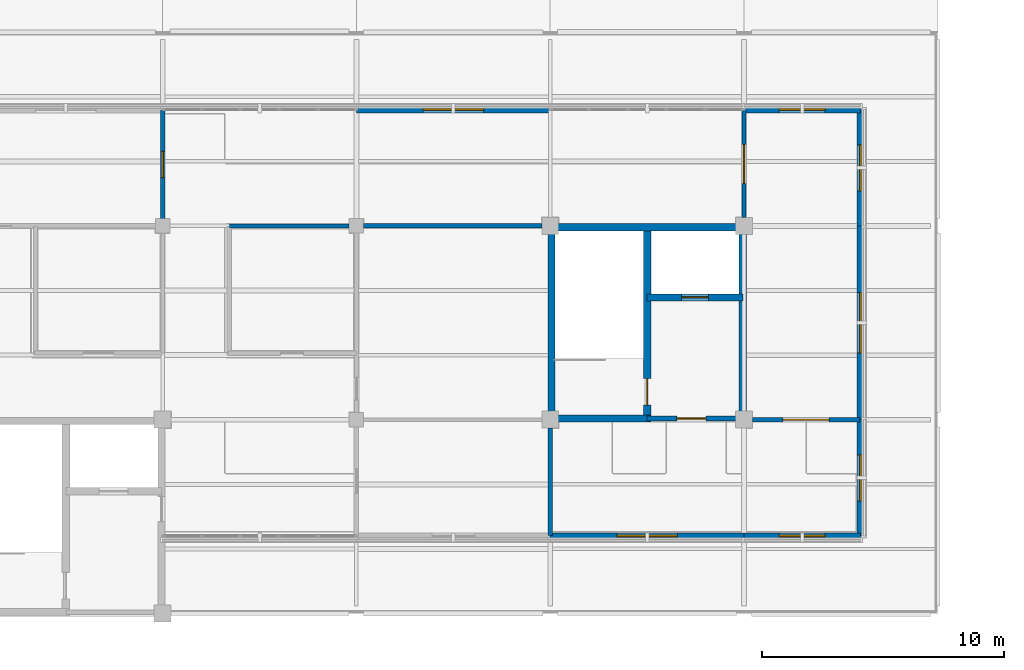
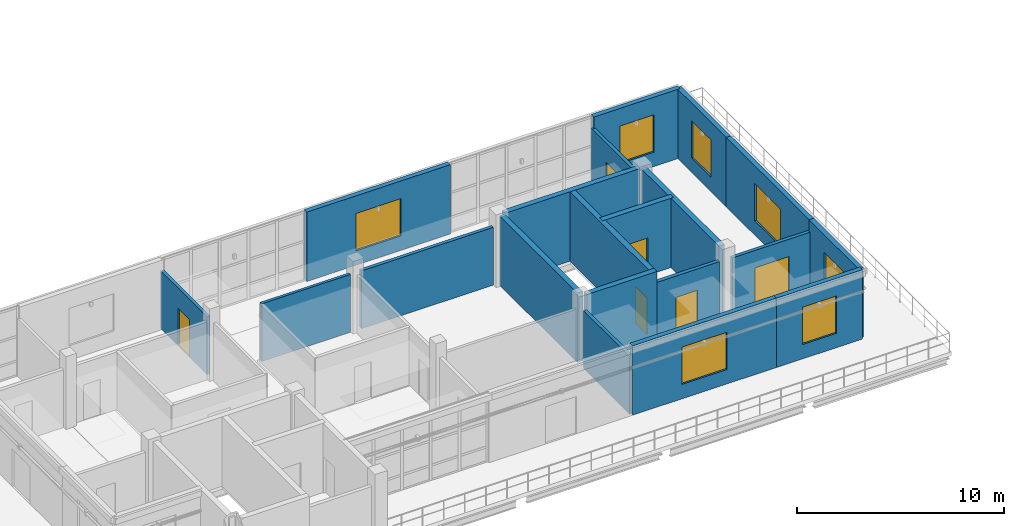
# One storey, part 16 of 24: 20 walls, 7 windows, 6 doors, 13 openings.
"""IFC4 building model written with IfcOpenShell, lengths in metres."""

import ifcopenshell
import ifcopenshell.guid

model = None  # the IFC model being written
_history = None  # IfcOwnerHistory: only IFC2X3 demands one
_inside = {}  # id of a spatial element -> (the spatial element, [elements in it])
_under = {}  # id of a project, library or spatial element -> (it, [spatial elements below it])
_declared = {}  # id of a project -> (the project, [libraries it declares])
_typed = {}  # id of a type object -> (the type object, [elements of that type])
_made_of = {}  # id of a material, layer set ... -> (it, [elements and type objects made of it])


def new_model(schema):
    """Start an empty IFC model of exactly this schema.

    Asked for "IFC4X3", IfcOpenShell would pick the latest addendum, in which some entities
    have other attributes; the version numbers below select the first issue.
    IFC2X3 requires an IfcOwnerHistory on every rooted entity: one is made here for all.
    """
    global model, _history
    if schema == "IFC4X3":
        model = ifcopenshell.file(schema_version=(4, 3, 0, 0))
    else:
        model = ifcopenshell.file(schema=schema)
    _inside.clear()
    _under.clear()
    _declared.clear()
    _typed.clear()
    _made_of.clear()
    _history = None
    if model.schema == "IFC2X3":
        org = make("IfcOrganization", Name="unknown")
        user = make(
            "IfcPersonAndOrganization",
            ThePerson=make("IfcPerson", FamilyName="unknown"),
            TheOrganization=org,
        )
        app = make(
            "IfcApplication",
            ApplicationDeveloper=org,
            Version="unknown",
            ApplicationFullName="unknown",
            ApplicationIdentifier="unknown",
        )
        _history = make(
            "IfcOwnerHistory",
            OwningUser=user,
            OwningApplication=app,
            ChangeAction="ADDED",
            CreationDate=0,
        )
    return model


def make(cls, **values):
    """One entity of the class cls with the attributes given. An attribute that is None is left unset."""
    return model.create_entity(
        cls, **{name: value for name, value in values.items() if value is not None}
    )


def rooted(cls, **values):
    """An entity with a GlobalId (a new one), such as an element, a storey or a relation."""
    return make(cls, GlobalId=ifcopenshell.guid.new(), OwnerHistory=_history, **values)


def si_unit(unit_type, name, prefix=None):
    """IfcSIUnit, for example si_unit("LENGTHUNIT", "METRE", prefix="MILLI")."""
    return make("IfcSIUnit", UnitType=unit_type, Prefix=prefix, Name=name)


def derived_unit(unit_type, elements):
    """IfcDerivedUnit: a product of units, each with its exponent."""
    return make(
        "IfcDerivedUnit",
        Elements=[
            make("IfcDerivedUnitElement", Unit=unit, Exponent=power)
            for unit, power in elements
        ],
        UnitType=unit_type,
    )


def assignment(units):
    """IfcUnitAssignment: the units of a project."""
    return None if units is None else make("IfcUnitAssignment", Units=units)


def point(xyz):
    """IfcCartesianPoint."""
    return None if xyz is None else make("IfcCartesianPoint", Coordinates=xyz)


def direction(xyz):
    """IfcDirection."""
    return None if xyz is None else make("IfcDirection", DirectionRatios=xyz)


def frame(location, z_axis=None, x_axis=None):
    """IfcAxis2Placement3D, a coordinate frame: its origin and axes. An axis left out is left unset."""
    return make(
        "IfcAxis2Placement3D",
        Location=point(location),
        Axis=direction(z_axis),
        RefDirection=direction(x_axis),
    )


def frame_2d(location, x_axis=None):
    """IfcAxis2Placement2D, a coordinate frame in the plane: its origin and x axis."""
    return make(
        "IfcAxis2Placement2D", Location=point(location), RefDirection=direction(x_axis)
    )


def origin():
    """The frame at (0, 0, 0) with its axes left unset."""
    return frame((0.0, 0.0, 0.0))


def place(relative_to, where):
    """IfcLocalPlacement: puts the frame where relative to a parent placement (None: the world)."""
    return make(
        "IfcLocalPlacement", PlacementRelTo=relative_to, RelativePlacement=where
    )


def context(
    kind, dimensions, precision=None, world=None, true_north=None, identifier=None
):
    """IfcGeometricRepresentationContext, for example the 3D "Model" context."""
    return make(
        "IfcGeometricRepresentationContext",
        ContextIdentifier=identifier,
        ContextType=kind,
        CoordinateSpaceDimension=dimensions,
        Precision=precision,
        WorldCoordinateSystem=world,
        TrueNorth=true_north,
    )


def subcontext(parent, identifier, kind, view, scale=None):
    """IfcGeometricRepresentationSubContext, for example "Body" below "Model"."""
    return make(
        "IfcGeometricRepresentationSubContext",
        ContextIdentifier=identifier,
        ContextType=kind,
        ParentContext=parent,
        TargetScale=scale,
        TargetView=view,
    )


def project(units=None, contexts=None):
    """IfcProject with its units and contexts."""
    return rooted(
        "IfcProject",
        Name="project",
        RepresentationContexts=contexts,
        UnitsInContext=assignment(units),
    )


def spatial(cls, under=None, at=None, **own):
    """A site, building, storey or space (cls), placed at a placement, below another one or the project."""
    s = rooted(cls, ObjectPlacement=at, **own)
    if under is not None:
        _under.setdefault(under.id(), (under, []))[1].append(s)
    return s


def profile(cls, at=None, kind="AREA", **sizes):
    """A parametric profile (cls). Its sizes go by their IFC names, for example OverallWidth=200.0."""
    return make(cls, ProfileType=kind, Position=at, **sizes)


def rectangle(**sizes):
    """IfcRectangleProfileDef."""
    return profile("IfcRectangleProfileDef", **sizes)


def extrude(swept, where, along, depth):
    """IfcExtrudedAreaSolid: the profile swept, set in the frame where, extruded along a direction by depth."""
    return make(
        "IfcExtrudedAreaSolid",
        SweptArea=swept,
        Position=where,
        ExtrudedDirection=direction(along),
        Depth=depth,
    )


def shape(context_of_items, identifier, shape_type, items):
    """IfcShapeRepresentation: the items that make up one representation, for example the "Body"."""
    return make(
        "IfcShapeRepresentation",
        ContextOfItems=context_of_items,
        RepresentationIdentifier=identifier,
        RepresentationType=shape_type,
        Items=items,
    )


def material(Name=None, Category=None):
    """IfcMaterial."""
    return make("IfcMaterial", Name=Name, Category=Category)


def layer(
    of_material, thickness, ventilated=None, Name=None, Category=None, Priority=None
):
    """IfcMaterialLayer: one layer of a wall or slab, of a material (None: an air gap)."""
    return make(
        "IfcMaterialLayer",
        Material=of_material,
        LayerThickness=thickness,
        IsVentilated=ventilated,
        Name=Name,
        Category=Category,
        Priority=Priority,
    )


def layer_set(layers, Name=None):
    """IfcMaterialLayerSet."""
    return make("IfcMaterialLayerSet", MaterialLayers=layers, LayerSetName=Name)


def made_of(thing, what):
    """Note that an element or type object is made of a material, layer set ...; save() writes the relation."""
    if what is not None:
        _made_of.setdefault(what.id(), (what, []))[1].append(thing)
    return thing


def type_object(cls, material=None, **own):
    """A type object (cls), such as IfcWallType, which elements share."""
    return made_of(rooted(cls, **own), material)


def element(
    cls,
    number,
    at=None,
    inside=None,
    cuts=None,
    type_object=None,
    material=None,
    context=None,
    identifier="Body",
    shape_type=None,
    held_by="IfcProductDefinitionShape",
    body=None,
    shapes=None,
    **own,
):
    """One element of the class cls, such as IfcWall. Its Tag is "e" and its number.

    at: its placement. inside: the storey or other place that contains it. cuts: it is an
    opening in that element (IfcRelVoidsElement). A single representation is given by context,
    identifier, shape_type and body (its items); several are given by shapes. held_by: the class
    of the entity that holds the representations. save() writes the other relations.
    """
    e = rooted(cls, Tag="e%d" % number, ObjectPlacement=at, **own)
    if body is not None:
        shapes = [shape(context, identifier, shape_type, body)]
    if shapes is not None:
        e.Representation = make(held_by, Representations=shapes)
    if inside is not None:
        _inside.setdefault(inside.id(), (inside, []))[1].append(e)
    if cuts is not None:
        rooted(
            "IfcRelVoidsElement", RelatingBuildingElement=cuts, RelatedOpeningElement=e
        )
    if type_object is not None:
        _typed.setdefault(type_object.id(), (type_object, []))[1].append(e)
    return made_of(e, material)


def fill(opening, filler):
    """IfcRelFillsElement: the door or window that sits in an opening."""
    return rooted(
        "IfcRelFillsElement",
        RelatingOpeningElement=opening,
        RelatedBuildingElement=filler,
    )


def aggregate(whole, parts):
    """IfcRelAggregates: a whole, such as a stair, and the parts it consists of."""
    return rooted("IfcRelAggregates", RelatingObject=whole, RelatedObjects=parts)


def save(model, path):
    """Write the relations noted so far, then the file.

    IfcRelAggregates (storeys below a building ...), IfcRelContainedInSpatialStructure (elements
    in a storey), IfcRelDefinesByType, IfcRelAssociatesMaterial and IfcRelDeclares: one each for
    every whole, place, type object, material and project.
    """
    for whole, parts in _under.values():
        aggregate(whole, parts)
    for where, things in _inside.values():
        rooted(
            "IfcRelContainedInSpatialStructure",
            RelatedElements=things,
            RelatingStructure=where,
        )
    for kind, things in _typed.values():
        rooted("IfcRelDefinesByType", RelatedObjects=things, RelatingType=kind)
    for what, things in _made_of.values():
        rooted("IfcRelAssociatesMaterial", RelatedObjects=things, RelatingMaterial=what)
    for by, libraries in _declared.values():
        rooted("IfcRelDeclares", RelatingContext=by, RelatedDefinitions=libraries)
    model.write(path)


model = new_model("IFC4")

# Units and contexts
model_context = context("Model", 3, precision=1e-05, world=origin(), true_north=direction((0.0, 1.0)))
body_context = subcontext(model_context, "Body", "Model", "MODEL_VIEW")
ifc_project = project(units=[si_unit("LENGTHUNIT", "METRE"), si_unit("AREAUNIT", "SQUARE_METRE"), si_unit("VOLUMEUNIT", "CUBIC_METRE"), si_unit("PLANEANGLEUNIT", "RADIAN"), si_unit("MASSUNIT", "GRAM", prefix="KILO"), derived_unit("THERMALTRANSMITTANCEUNIT", [(si_unit("MASSUNIT", "GRAM", prefix="KILO"), 1), (si_unit("TIMEUNIT", "SECOND"), -3), (si_unit("THERMODYNAMICTEMPERATUREUNIT", "KELVIN"), -1)])], contexts=[model_context])

# Site, building, storey
site_placement = place(None, origin())
site = spatial("IfcSite", under=ifc_project, at=site_placement, CompositionType="ELEMENT")
building_placement = place(site_placement, origin())
building = spatial("IfcBuilding", under=site, at=building_placement, Name="Veyamyaing Civic Hall", CompositionType="ELEMENT")
storey_placement = place(building_placement, frame((0.0, 0.0, 25.739990234375)))
storey = spatial("IfcBuildingStorey", under=building, at=storey_placement, Name="L06", CompositionType="ELEMENT", Elevation=25.739990234375)

# Walls
ifc_material_1 = material(Name="Concrete C40/50", Category="concrete")
ifc_layer_1 = layer(ifc_material_1, 0.300048828125, Name="Concrete C40/50")
ifc_layer_set_1 = layer_set([ifc_layer_1], Name="Concrete C40/50")
wall_type_1 = type_object("IfcWallType", Name="WT-05", PredefinedType="SHEAR", material=ifc_layer_set_1)
for number, where, z_axis, x_axis, name in (
    (1, (32.050048828125, 96.239990234375, 0.0), (0.0, 0.0, 1.0), (0.0, 1.0, 0.0), "Core shear wall WT-05 CORE-2 L06.W"),
    (2, (32.239990234375, 103.949951171875, 0.0), (0.0, 0.0, 1.0), (1.0, 0.0, 0.0), "Core shear wall WT-05 CORE-2 L06.N"),
    (3, (39.949951171875, 96.239990234375, 0.0), (0.0, 0.0, 1.0), (0.0, 1.0, 0.0), "Core shear wall WT-05 CORE-2 L06.E"),
):
    element("IfcWall", number, at=place(storey_placement, frame(where, z_axis=z_axis, x_axis=x_axis)), inside=storey, type_object=wall_type_1, Name=name, PredefinedType="SHEAR", context=body_context, shape_type="SweptSolid", body=[
        extrude(rectangle(XDim=7.52001953125, YDim=0.300048828125, at=frame_2d((3.760009765625, 0.0))), origin(), (0.0, 0.0, 1.0), 4.090087890625),
    ])
wall_1_placement = place(storey_placement, frame((32.239990234375, 96.050048828125, 0.0), z_axis=(0.0, 0.0, 1.0), x_axis=(1.0, 0.0, 0.0)))
element("IfcWall", 4, at=wall_1_placement, inside=storey, type_object=wall_type_1, Name="Core shear wall WT-05 CORE-2 L06.SS", PredefinedType="SHEAR", context=body_context, shape_type="SweptSolid", body=[
    extrude(rectangle(XDim=3.909912109375, YDim=0.300048828125, at=frame_2d((1.955078125, 0.0))), origin(), (0.0, 0.0, 1.0), 4.090087890625),
])

# Wall, opening, door
wall_2_placement = place(storey_placement, frame((36.0, 96.050048828125, 0.0), z_axis=(0.0, 0.0, 1.0), x_axis=(0.0, 1.0, 0.0)))
wall_2 = element("IfcWall", 5, at=wall_2_placement, inside=storey, type_object=wall_type_1, Name="Core shear wall WT-05 CORE-2 L06.MID", PredefinedType="SHEAR", context=body_context, shape_type="SweptSolid", body=[
    extrude(rectangle(XDim=7.89990234375, YDim=0.300048828125, at=frame_2d((3.949951171875, 0.0))), origin(), (0.0, 0.0, 1.0), 4.090087890625),
])
opening_1_placement = place(wall_2_placement, frame((0.550048828125, 0.0, 0.0)))
opening_1 = element("IfcOpeningElement", 6, at=opening_1_placement, cuts=wall_2, Name="Opening D-03", PredefinedType="OPENING", context=body_context, shape_type="SweptSolid", body=[
    extrude(rectangle(XDim=1.10009765625, YDim=2.14990234375, at=frame_2d((0.550048828125, 1.074951171875))), frame((0.0, 0.159912109375, 0.0), z_axis=(0.0, -1.0, 0.0), x_axis=(1.0, 0.0, 0.0)), (0.0, 0.0, 1.0), 0.320068359375),
])
ifc_material_2 = material(Name="Galvanized steel S355J2", Category="steel")
door_type_1 = type_object("IfcDoorType", Name="D-03", OperationType="NOTDEFINED", PredefinedType="DOOR", material=ifc_material_2)
door_1_placement = place(opening_1_placement, origin())
door_1 = element("IfcDoor", 7, at=door_1_placement, inside=storey, type_object=door_type_1, Name="Exit stair fire door D-03 ST-02 L06", OperationType="SINGLE_SWING_RIGHT", OverallHeight=2.14990234375, OverallWidth=1.10009765625, PredefinedType="DOOR", context=body_context, shape_type="SweptSolid", body=[
    extrude(rectangle(XDim=1.10009765625, YDim=2.14990234375, at=frame_2d((0.550048828125, 1.074951171875))), frame((0.0, 0.02490234375, 0.0), z_axis=(0.0, -1.0, 0.0), x_axis=(1.0, 0.0, 0.0)), (0.0, 0.0, 1.0), 0.050048828125),
])
fill(opening_1, door_1)

wall_3_placement = place(storey_placement, frame((36.0, 101.050048828125, 0.0), z_axis=(0.0, 0.0, 1.0), x_axis=(1.0, 0.0, 0.0)))
wall_3 = element("IfcWall", 8, at=wall_3_placement, inside=storey, type_object=wall_type_1, Name="Core shear wall WT-05 CORE-2 L06.LFT", PredefinedType="SHEAR", context=body_context, shape_type="SweptSolid", body=[
    extrude(rectangle(XDim=3.949951171875, YDim=0.300048828125, at=frame_2d((1.97509765625, 0.0))), origin(), (0.0, 0.0, 1.0), 4.090087890625),
])
opening_2_placement = place(wall_3_placement, frame((1.425048828125, 0.0, 0.0)))
opening_2 = element("IfcOpeningElement", 9, at=opening_2_placement, cuts=wall_3, Name="Opening LD-01", PredefinedType="OPENING", context=body_context, shape_type="SweptSolid", body=[
    extrude(rectangle(XDim=1.10009765625, YDim=2.199951171875, at=frame_2d((0.550048828125, 1.10009765625))), frame((0.0, 0.159912109375, 0.0), z_axis=(0.0, -1.0, 0.0), x_axis=(1.0, 0.0, 0.0)), (0.0, 0.0, 1.0), 0.320068359375),
])
ifc_material_3 = material(Name="Anodised aluminium 6063-T6", Category="aluminium")
door_type_2 = type_object("IfcDoorType", Name="LD-01", OperationType="SLIDING_TO_LEFT", PredefinedType="DOOR", material=ifc_material_3)
door_2_placement = place(opening_2_placement, origin())
door_2 = element("IfcDoor", 10, at=door_2_placement, inside=storey, type_object=door_type_2, Name="Lift sliding landing door LD-01 PL-01 L06", OperationType="SLIDING_TO_LEFT", OverallHeight=2.199951171875, OverallWidth=1.10009765625, PredefinedType="DOOR", context=body_context, shape_type="SweptSolid", body=[
    extrude(rectangle(XDim=1.10009765625, YDim=2.199951171875, at=frame_2d((0.550048828125, 1.10009765625))), frame((0.0, 0.02490234375, 0.0), z_axis=(0.0, -1.0, 0.0), x_axis=(1.0, 0.0, 0.0)), (0.0, 0.0, 1.0), 0.050048828125),
])
fill(opening_2, door_2)

ifc_layer_2 = layer(ifc_material_1, 0.199951171875, Name="Concrete C40/50")
ifc_layer_set_2 = layer_set([ifc_layer_2], Name="Concrete C40/50")
wall_type_2 = type_object("IfcWallType", Name="WT-06", PredefinedType="PARTITIONING", material=ifc_layer_set_2)
wall_4_placement = place(storey_placement, frame((36.0, 96.050048828125, 0.0), z_axis=(0.0, 0.0, 1.0), x_axis=(1.0, 0.0, 0.0)))
wall_4 = element("IfcWall", 11, at=wall_4_placement, inside=storey, type_object=wall_type_2, Name="Firefighting lift lobby wall WT-06 CORE-2 L06", PredefinedType="PARTITIONING", context=body_context, shape_type="SweptSolid", body=[
    extrude(rectangle(XDim=3.659912109375, YDim=0.199951171875, at=frame_2d((1.830078125, 0.0))), origin(), (0.0, 0.0, 1.0), 3.407958984375),
])
opening_3_placement = place(wall_4_placement, frame((1.22998046875, 0.0, 0.0)))
opening_3 = element("IfcOpeningElement", 12, at=opening_3_placement, cuts=wall_4, Name="Opening D-04", PredefinedType="OPENING", context=body_context, shape_type="SweptSolid", body=[
    extrude(rectangle(XDim=1.199951171875, YDim=2.14990234375, at=frame_2d((0.60009765625, 1.074951171875))), frame((0.0, 0.10986328125, 0.0), z_axis=(0.0, -1.0, 0.0), x_axis=(1.0, 0.0, 0.0)), (0.0, 0.0, 1.0), 0.219970703125),
])
door_type_3 = type_object("IfcDoorType", Name="D-04", OperationType="NOTDEFINED", PredefinedType="DOOR", material=ifc_material_2)
door_3_placement = place(opening_3_placement, frame((1.199951171875, 0.0, 0.0), z_axis=(0.0, 0.0, 1.0), x_axis=(-1.0, 0.0, 0.0)))
door_3 = element("IfcDoor", 13, at=door_3_placement, inside=storey, type_object=door_type_3, Name="Protected lobby fire door D-04 CORE-2 L06", OperationType="SINGLE_SWING_LEFT", OverallHeight=2.14990234375, OverallWidth=1.199951171875, PredefinedType="DOOR", context=body_context, shape_type="SweptSolid", body=[
    extrude(rectangle(XDim=1.199951171875, YDim=2.14990234375, at=frame_2d((0.60009765625, 1.074951171875))), frame((0.0, 0.02490234375, 0.0), z_axis=(0.0, -1.0, 0.0), x_axis=(1.0, 0.0, 0.0)), (0.0, 0.0, 1.0), 0.050048828125),
])
fill(opening_3, door_3)

ifc_material_4 = material(Name="Gypsum board on acoustic steel stud", Category="steel")
ifc_layer_3 = layer(ifc_material_4, 0.175048828125, Name="Gypsum board on acoustic steel stud")
ifc_layer_set_3 = layer_set([ifc_layer_3], Name="Gypsum board on acoustic steel stud")
wall_type_3 = type_object("IfcWallType", Name="WT-07", PredefinedType="PARTITIONING", material=ifc_layer_set_3)
wall_5_placement = place(storey_placement, frame((16.0, 104.2900390625, 0.0), z_axis=(0.0, 0.0, 1.0), x_axis=(0.0, 1.0, 0.0)))
wall_5 = element("IfcWall", 14, at=wall_5_placement, inside=storey, type_object=wall_type_3, Name="Interior partition wall WT-07 L06.5", PredefinedType="PARTITIONING", context=body_context, shape_type="SweptSolid", body=[
    extrude(rectangle(XDim=4.489990234375, YDim=0.175048828125, at=frame_2d((2.2451171875, 0.0))), origin(), (0.0, 0.0, 1.0), 3.407958984375),
])
opening_4_placement = place(wall_5_placement, frame((1.705078125, 0.0, 0.0)))
opening_4 = element("IfcOpeningElement", 15, at=opening_4_placement, cuts=wall_5, Name="Opening D-23", PredefinedType="OPENING", context=body_context, shape_type="SweptSolid", body=[
    extrude(rectangle(XDim=1.080078125, YDim=2.199951171875, at=frame_2d((0.5400390625, 1.10009765625))), frame((0.0, 0.097412109375, 0.0), z_axis=(0.0, -1.0, 0.0), x_axis=(1.0, 0.0, 0.0)), (0.0, 0.0, 1.0), 0.195068359375),
])
ifc_material_5 = material(Name="Teak-veneered acoustic timber", Category="wood")
door_type_4 = type_object("IfcDoorType", Name="D-23", OperationType="NOTDEFINED", PredefinedType="DOOR", material=ifc_material_5)
door_4_placement = place(opening_4_placement, origin())
door_4 = element("IfcDoor", 16, at=door_4_placement, inside=storey, type_object=door_type_4, Name="Interior door D-23 L06.5", OperationType="SINGLE_SWING_LEFT", OverallHeight=2.199951171875, OverallWidth=1.080078125, PredefinedType="DOOR", context=body_context, shape_type="SweptSolid", body=[
    extrude(rectangle(XDim=1.080078125, YDim=2.199951171875, at=frame_2d((0.5400390625, 1.10009765625))), frame((0.0, 0.02490234375, 0.0), z_axis=(0.0, -1.0, 0.0), x_axis=(1.0, 0.0, 0.0)), (0.0, 0.0, 1.0), 0.050048828125),
])
fill(opening_4, door_4)

wall_6_placement = place(storey_placement, frame((40.0, 104.340087890625, 0.0), z_axis=(0.0, 0.0, 1.0), x_axis=(0.0, 1.0, 0.0)))
wall_6 = element("IfcWall", 17, at=wall_6_placement, inside=storey, type_object=wall_type_3, Name="Interior partition wall WT-07 L06.11", PredefinedType="PARTITIONING", context=body_context, shape_type="SweptSolid", body=[
    extrude(rectangle(XDim=4.43994140625, YDim=0.175048828125, at=frame_2d((2.219970703125, 0.0))), origin(), (0.0, 0.0, 1.0), 3.407958984375),
])
opening_5_placement = place(wall_6_placement, frame((1.419921875, 0.0, 0.0)))
opening_5 = element("IfcOpeningElement", 18, at=opening_5_placement, cuts=wall_6, Name="Opening D-09", PredefinedType="OPENING", context=body_context, shape_type="SweptSolid", body=[
    extrude(rectangle(XDim=1.60009765625, YDim=2.25, at=frame_2d((0.800048828125, 1.125))), frame((0.0, 0.097412109375, 0.0), z_axis=(0.0, -1.0, 0.0), x_axis=(1.0, 0.0, 0.0)), (0.0, 0.0, 1.0), 0.195068359375),
])
door_type_5 = type_object("IfcDoorType", Name="D-09", OperationType="DOUBLE_DOOR_SINGLE_SWING", PredefinedType="DOOR", material=ifc_material_5)
door_5_placement = place(opening_5_placement, frame((1.60009765625, 0.0, 0.0), z_axis=(0.0, 0.0, 1.0), x_axis=(-1.0, 0.0, 0.0)))
door_5 = element("IfcDoor", 19, at=door_5_placement, inside=storey, type_object=door_type_5, Name="Interior door D-09 L06.11", OperationType="DOUBLE_DOOR_SINGLE_SWING", OverallHeight=2.25, OverallWidth=1.60009765625, PredefinedType="DOOR", context=body_context, shape_type="SweptSolid", body=[
    extrude(rectangle(XDim=1.60009765625, YDim=2.25, at=frame_2d((0.800048828125, 1.125))), frame((0.0, 0.02490234375, 0.0), z_axis=(0.0, -1.0, 0.0), x_axis=(1.0, 0.0, 0.0)), (0.0, 0.0, 1.0), 0.050048828125),
])
fill(opening_5, door_5)

# Wall
ifc_material_6 = material(Name="Gypsum board on steel stud", Category="steel")
ifc_layer_4 = layer(ifc_material_6, 0.14990234375, Name="Gypsum board on steel stud")
ifc_layer_set_4 = layer_set([ifc_layer_4], Name="Gypsum board on steel stud")
wall_type_4 = type_object("IfcWallType", Name="WT-08", PredefinedType="PARTITIONING", material=ifc_layer_set_4)
wall_7_placement = place(storey_placement, frame((18.75, 104.0, 0.0), z_axis=(0.0, 0.0, 1.0), x_axis=(1.0, 0.0, 0.0)))
element("IfcWall", 20, at=wall_7_placement, inside=storey, type_object=wall_type_4, Name="Gallery office end partition WT-08 L06.2.1", PredefinedType="PARTITIONING", context=body_context, shape_type="SweptSolid", body=[
    extrude(rectangle(XDim=4.93994140625, YDim=0.14990234375, at=frame_2d((2.469970703125, 0.0))), origin(), (0.0, 0.0, 1.0), 3.407958984375),
])

# Wall, opening, window
ifc_material_7 = material(Name="Precast concrete C40/50", Category="concrete")
ifc_layer_5 = layer(ifc_material_7, 0.260009765625, Name="Precast concrete C40/50")
ifc_layer_set_5 = layer_set([ifc_layer_5], Name="Precast concrete C40/50")
wall_type_5 = type_object("IfcWallType", Name="WT-09", PredefinedType="SOLIDWALL", material=ifc_layer_set_5)
wall_8_placement = place(storey_placement, frame((32.0, 91.199951171875, 0.0), z_axis=(0.0, 0.0, 1.0), x_axis=(1.0, 0.0, 0.0)))
wall_8 = element("IfcWall", 21, at=wall_8_placement, inside=storey, type_object=wall_type_5, Name="Executive setback exterior wall WT-09 L06-NW-S-4", PredefinedType="SOLIDWALL", context=body_context, shape_type="SweptSolid", body=[
    extrude(rectangle(XDim=8.0, YDim=0.260009765625, at=frame_2d((4.0, 0.0))), origin(), (0.0, 0.0, 1.0), 4.090087890625),
])
opening_6_placement = place(wall_8_placement, frame((2.75, 0.0, 0.85009765625)))
opening_6 = element("IfcOpeningElement", 22, at=opening_6_placement, cuts=wall_8, Name="Opening W-21", PredefinedType="OPENING", context=body_context, shape_type="SweptSolid", body=[
    extrude(rectangle(XDim=2.5, YDim=2.199951171875, at=frame_2d((1.25, 1.10009765625))), frame((0.0, 0.139892578125, 0.0), z_axis=(0.0, -1.0, 0.0), x_axis=(1.0, 0.0, 0.0)), (0.0, 0.0, 1.0), 0.280029296875),
])
ifc_material_8 = material(Name="Low-E insulated glass", Category="glass")
window_type_1 = type_object("IfcWindowType", Name="W-21", PartitioningType="SINGLE_PANEL", PredefinedType="WINDOW", material=ifc_material_8)
window_1_placement = place(opening_6_placement, origin())
window_1 = element("IfcWindow", 23, at=window_1_placement, inside=storey, type_object=window_type_1, Name="Executive window W-21 L06-NW-S-4", OverallHeight=2.199951171875, OverallWidth=2.5, PartitioningType="SINGLE_PANEL", PredefinedType="WINDOW", context=body_context, shape_type="SweptSolid", body=[
    extrude(rectangle(XDim=2.5, YDim=2.199951171875, at=frame_2d((1.25, 1.10009765625))), frame((0.0, 0.030029296875, 0.0), z_axis=(0.0, -1.0, 0.0), x_axis=(1.0, 0.0, 0.0)), (0.0, 0.0, 1.0), 0.06005859375),
])
fill(opening_6, window_1)

wall_9_placement = place(storey_placement, frame((40.0, 91.199951171875, 0.0), z_axis=(0.0, 0.0, 1.0), x_axis=(1.0, 0.0, 0.0)))
wall_9 = element("IfcWall", 24, at=wall_9_placement, inside=storey, type_object=wall_type_5, Name="Executive setback exterior wall WT-09 L06-NW-S-5", PredefinedType="SOLIDWALL", context=body_context, shape_type="SweptSolid", body=[
    extrude(rectangle(XDim=4.800048828125, YDim=0.260009765625, at=frame_2d((2.39990234375, 0.0))), origin(), (0.0, 0.0, 1.0), 4.090087890625),
])
opening_7_placement = place(wall_9_placement, frame((1.449951171875, 0.0, 0.85009765625)))
opening_7 = element("IfcOpeningElement", 25, at=opening_7_placement, cuts=wall_9, Name="Opening W-22", PredefinedType="OPENING", context=body_context, shape_type="SweptSolid", body=[
    extrude(rectangle(XDim=1.89990234375, YDim=2.199951171875, at=frame_2d((0.949951171875, 1.10009765625))), frame((0.0, 0.139892578125, 0.0), z_axis=(0.0, -1.0, 0.0), x_axis=(1.0, 0.0, 0.0)), (0.0, 0.0, 1.0), 0.280029296875),
])
window_type_2 = type_object("IfcWindowType", Name="W-22", PartitioningType="SINGLE_PANEL", PredefinedType="WINDOW", material=ifc_material_8)
window_2_placement = place(opening_7_placement, origin())
window_2 = element("IfcWindow", 26, at=window_2_placement, inside=storey, type_object=window_type_2, Name="Executive window W-22 L06-NW-S-5", OverallHeight=2.199951171875, OverallWidth=1.89990234375, PartitioningType="SINGLE_PANEL", PredefinedType="WINDOW", context=body_context, shape_type="SweptSolid", body=[
    extrude(rectangle(XDim=1.89990234375, YDim=2.199951171875, at=frame_2d((0.949951171875, 1.10009765625))), frame((0.0, 0.030029296875, 0.0), z_axis=(0.0, -1.0, 0.0), x_axis=(1.0, 0.0, 0.0)), (0.0, 0.0, 1.0), 0.06005859375),
])
fill(opening_7, window_2)

wall_10_placement = place(storey_placement, frame((24.0, 108.800048828125, 0.0), z_axis=(0.0, 0.0, 1.0), x_axis=(1.0, 0.0, 0.0)))
wall_10 = element("IfcWall", 27, at=wall_10_placement, inside=storey, type_object=wall_type_5, Name="Executive setback exterior wall WT-09 L06-NW-N-3", PredefinedType="SOLIDWALL", context=body_context, shape_type="SweptSolid", body=[
    extrude(rectangle(XDim=8.0, YDim=0.260009765625, at=frame_2d((4.0, 0.0))), origin(), (0.0, 0.0, 1.0), 4.090087890625),
])
opening_8_placement = place(wall_10_placement, frame((2.75, 0.0, 0.85009765625)))
opening_8 = element("IfcOpeningElement", 28, at=opening_8_placement, cuts=wall_10, Name="Opening W-21", PredefinedType="OPENING", context=body_context, shape_type="SweptSolid", body=[
    extrude(rectangle(XDim=2.5, YDim=2.199951171875, at=frame_2d((1.25, 1.10009765625))), frame((0.0, 0.139892578125, 0.0), z_axis=(0.0, -1.0, 0.0), x_axis=(1.0, 0.0, 0.0)), (0.0, 0.0, 1.0), 0.280029296875),
])
window_3_placement = place(opening_8_placement, origin())
window_3 = element("IfcWindow", 29, at=window_3_placement, inside=storey, type_object=window_type_1, Name="Executive window W-21 L06-NW-N-3", OverallHeight=2.199951171875, OverallWidth=2.5, PartitioningType="SINGLE_PANEL", PredefinedType="WINDOW", context=body_context, shape_type="SweptSolid", body=[
    extrude(rectangle(XDim=2.5, YDim=2.199951171875, at=frame_2d((1.25, 1.10009765625))), frame((0.0, 0.030029296875, 0.0), z_axis=(0.0, -1.0, 0.0), x_axis=(1.0, 0.0, 0.0)), (0.0, 0.0, 1.0), 0.06005859375),
])
fill(opening_8, window_3)

wall_11_placement = place(storey_placement, frame((40.0, 108.800048828125, 0.0), z_axis=(0.0, 0.0, 1.0), x_axis=(1.0, 0.0, 0.0)))
wall_11 = element("IfcWall", 30, at=wall_11_placement, inside=storey, type_object=wall_type_5, Name="Executive setback exterior wall WT-09 L06-NW-N-5", PredefinedType="SOLIDWALL", context=body_context, shape_type="SweptSolid", body=[
    extrude(rectangle(XDim=4.800048828125, YDim=0.260009765625, at=frame_2d((2.39990234375, 0.0))), origin(), (0.0, 0.0, 1.0), 4.090087890625),
])
opening_9_placement = place(wall_11_placement, frame((1.449951171875, 0.0, 0.85009765625)))
opening_9 = element("IfcOpeningElement", 31, at=opening_9_placement, cuts=wall_11, Name="Opening W-22", PredefinedType="OPENING", context=body_context, shape_type="SweptSolid", body=[
    extrude(rectangle(XDim=1.89990234375, YDim=2.199951171875, at=frame_2d((0.949951171875, 1.10009765625))), frame((0.0, 0.139892578125, 0.0), z_axis=(0.0, -1.0, 0.0), x_axis=(1.0, 0.0, 0.0)), (0.0, 0.0, 1.0), 0.280029296875),
])
window_4_placement = place(opening_9_placement, origin())
window_4 = element("IfcWindow", 32, at=window_4_placement, inside=storey, type_object=window_type_2, Name="Executive window W-22 L06-NW-N-5", OverallHeight=2.199951171875, OverallWidth=1.89990234375, PartitioningType="SINGLE_PANEL", PredefinedType="WINDOW", context=body_context, shape_type="SweptSolid", body=[
    extrude(rectangle(XDim=1.89990234375, YDim=2.199951171875, at=frame_2d((0.949951171875, 1.10009765625))), frame((0.0, 0.030029296875, 0.0), z_axis=(0.0, -1.0, 0.0), x_axis=(1.0, 0.0, 0.0)), (0.0, 0.0, 1.0), 0.06005859375),
])
fill(opening_9, window_4)

wall_12_placement = place(storey_placement, frame((44.800048828125, 91.199951171875, 0.0), z_axis=(0.0, 0.0, 1.0), x_axis=(0.0, 1.0, 0.0)))
wall_12 = element("IfcWall", 33, at=wall_12_placement, inside=storey, type_object=wall_type_5, Name="Executive setback exterior wall WT-09 L06-NW-E-0", PredefinedType="SOLIDWALL", context=body_context, shape_type="SweptSolid", body=[
    extrude(rectangle(XDim=4.800048828125, YDim=0.260009765625, at=frame_2d((2.39990234375, 0.0))), origin(), (0.0, 0.0, 1.0), 4.090087890625),
])
opening_10_placement = place(wall_12_placement, frame((1.449951171875, 0.0, 0.85009765625)))
opening_10 = element("IfcOpeningElement", 34, at=opening_10_placement, cuts=wall_12, Name="Opening W-22", PredefinedType="OPENING", context=body_context, shape_type="SweptSolid", body=[
    extrude(rectangle(XDim=1.89990234375, YDim=2.199951171875, at=frame_2d((0.949951171875, 1.10009765625))), frame((0.0, 0.139892578125, 0.0), z_axis=(0.0, -1.0, 0.0), x_axis=(1.0, 0.0, 0.0)), (0.0, 0.0, 1.0), 0.280029296875),
])
window_5_placement = place(opening_10_placement, origin())
window_5 = element("IfcWindow", 35, at=window_5_placement, inside=storey, type_object=window_type_2, Name="Executive window W-22 L06-NW-E-0", OverallHeight=2.199951171875, OverallWidth=1.89990234375, PartitioningType="SINGLE_PANEL", PredefinedType="WINDOW", context=body_context, shape_type="SweptSolid", body=[
    extrude(rectangle(XDim=1.89990234375, YDim=2.199951171875, at=frame_2d((0.949951171875, 1.10009765625))), frame((0.0, 0.030029296875, 0.0), z_axis=(0.0, -1.0, 0.0), x_axis=(1.0, 0.0, 0.0)), (0.0, 0.0, 1.0), 0.06005859375),
])
fill(opening_10, window_5)

wall_13_placement = place(storey_placement, frame((44.800048828125, 96.0, 0.0), z_axis=(0.0, 0.0, 1.0), x_axis=(0.0, 1.0, 0.0)))
wall_13 = element("IfcWall", 36, at=wall_13_placement, inside=storey, type_object=wall_type_5, Name="Executive setback exterior wall WT-09 L06-NW-E-1", PredefinedType="SOLIDWALL", context=body_context, shape_type="SweptSolid", body=[
    extrude(rectangle(XDim=8.0, YDim=0.260009765625, at=frame_2d((4.0, 0.0))), origin(), (0.0, 0.0, 1.0), 4.090087890625),
])
opening_11_placement = place(wall_13_placement, frame((2.75, 0.0, 0.85009765625)))
opening_11 = element("IfcOpeningElement", 37, at=opening_11_placement, cuts=wall_13, Name="Opening W-21", PredefinedType="OPENING", context=body_context, shape_type="SweptSolid", body=[
    extrude(rectangle(XDim=2.5, YDim=2.199951171875, at=frame_2d((1.25, 1.10009765625))), frame((0.0, 0.139892578125, 0.0), z_axis=(0.0, -1.0, 0.0), x_axis=(1.0, 0.0, 0.0)), (0.0, 0.0, 1.0), 0.280029296875),
])
window_6_placement = place(opening_11_placement, origin())
window_6 = element("IfcWindow", 38, at=window_6_placement, inside=storey, type_object=window_type_1, Name="Executive window W-21 L06-NW-E-1", OverallHeight=2.199951171875, OverallWidth=2.5, PartitioningType="SINGLE_PANEL", PredefinedType="WINDOW", context=body_context, shape_type="SweptSolid", body=[
    extrude(rectangle(XDim=2.5, YDim=2.199951171875, at=frame_2d((1.25, 1.10009765625))), frame((0.0, 0.030029296875, 0.0), z_axis=(0.0, -1.0, 0.0), x_axis=(1.0, 0.0, 0.0)), (0.0, 0.0, 1.0), 0.06005859375),
])
fill(opening_11, window_6)

wall_14_placement = place(storey_placement, frame((44.800048828125, 104.0, 0.0), z_axis=(0.0, 0.0, 1.0), x_axis=(0.0, 1.0, 0.0)))
wall_14 = element("IfcWall", 39, at=wall_14_placement, inside=storey, type_object=wall_type_5, Name="Executive setback exterior wall WT-09 L06-NW-E-2", PredefinedType="SOLIDWALL", context=body_context, shape_type="SweptSolid", body=[
    extrude(rectangle(XDim=4.800048828125, YDim=0.260009765625, at=frame_2d((2.39990234375, 0.0))), origin(), (0.0, 0.0, 1.0), 4.090087890625),
])
opening_12_placement = place(wall_14_placement, frame((1.449951171875, 0.0, 0.85009765625)))
opening_12 = element("IfcOpeningElement", 40, at=opening_12_placement, cuts=wall_14, Name="Opening W-22", PredefinedType="OPENING", context=body_context, shape_type="SweptSolid", body=[
    extrude(rectangle(XDim=1.89990234375, YDim=2.199951171875, at=frame_2d((0.949951171875, 1.10009765625))), frame((0.0, 0.139892578125, 0.0), z_axis=(0.0, -1.0, 0.0), x_axis=(1.0, 0.0, 0.0)), (0.0, 0.0, 1.0), 0.280029296875),
])
window_7_placement = place(opening_12_placement, origin())
window_7 = element("IfcWindow", 41, at=window_7_placement, inside=storey, type_object=window_type_2, Name="Executive window W-22 L06-NW-E-2", OverallHeight=2.199951171875, OverallWidth=1.89990234375, PartitioningType="SINGLE_PANEL", PredefinedType="WINDOW", context=body_context, shape_type="SweptSolid", body=[
    extrude(rectangle(XDim=1.89990234375, YDim=2.199951171875, at=frame_2d((0.949951171875, 1.10009765625))), frame((0.0, 0.030029296875, 0.0), z_axis=(0.0, -1.0, 0.0), x_axis=(1.0, 0.0, 0.0)), (0.0, 0.0, 1.0), 0.06005859375),
])
fill(opening_12, window_7)

# Walls
ifc_material_9 = material(Name="Gypsum board on double acoustic stud")
ifc_layer_6 = layer(ifc_material_9, 0.18505859375, Name="Gypsum board on double acoustic stud")
ifc_layer_set_6 = layer_set([ifc_layer_6], Name="Gypsum board on double acoustic stud")
wall_type_6 = type_object("IfcWallType", Name="WT-19", PredefinedType="PARTITIONING", material=ifc_layer_set_6)
wall_15_placement = place(storey_placement, frame((32.0, 91.219970703125, 0.0), z_axis=(0.0, 0.0, 1.0), x_axis=(0.0, 1.0, 0.0)))
element("IfcWall", 42, at=wall_15_placement, inside=storey, type_object=wall_type_6, Name="Interior partition wall WT-19 L06.8", PredefinedType="PARTITIONING", context=body_context, shape_type="SweptSolid", body=[
    extrude(rectangle(XDim=4.43994140625, YDim=0.18505859375, at=frame_2d((2.219970703125, 0.0))), origin(), (0.0, 0.0, 1.0), 3.407958984375),
])
wall_16_placement = place(storey_placement, frame((24.2900390625, 104.0, 0.0), z_axis=(0.0, 0.0, 1.0), x_axis=(1.0, 0.0, 0.0)))
element("IfcWall", 43, at=wall_16_placement, inside=storey, type_object=wall_type_6, Name="Interior partition wall WT-19 L06.10", PredefinedType="PARTITIONING", context=body_context, shape_type="SweptSolid", body=[
    extrude(rectangle(XDim=7.369873046875, YDim=0.18505859375, at=frame_2d((3.68505859375, 0.0))), origin(), (0.0, 0.0, 1.0), 3.407958984375),
])

# Wall, opening, door
wall_17_placement = place(storey_placement, frame((40.340087890625, 96.0, 0.0), z_axis=(0.0, 0.0, 1.0), x_axis=(1.0, 0.0, 0.0)))
wall_17 = element("IfcWall", 44, at=wall_17_placement, inside=storey, type_object=wall_type_6, Name="Interior partition wall WT-19 L06.12", PredefinedType="PARTITIONING", context=body_context, shape_type="SweptSolid", body=[
    extrude(rectangle(XDim=4.43994140625, YDim=0.18505859375, at=frame_2d((2.219970703125, 0.0))), origin(), (0.0, 0.0, 1.0), 3.407958984375),
])
opening_13_placement = place(wall_17_placement, frame((1.27001953125, 0.0, 0.0)))
opening_13 = element("IfcOpeningElement", 45, at=opening_13_placement, cuts=wall_17, Name="Opening D-31", PredefinedType="OPENING", context=body_context, shape_type="SweptSolid", body=[
    extrude(rectangle(XDim=1.89990234375, YDim=2.3798828125, at=frame_2d((0.949951171875, 1.18994140625))), frame((0.0, 0.1025390625, 0.0), z_axis=(0.0, -1.0, 0.0), x_axis=(1.0, 0.0, 0.0)), (0.0, 0.0, 1.0), 0.205078125),
])
door_type_6 = type_object("IfcDoorType", Name="D-31", OperationType="DOUBLE_DOOR_SINGLE_SWING", PredefinedType="DOOR", material=ifc_material_5)
door_6_placement = place(opening_13_placement, origin())
door_6 = element("IfcDoor", 46, at=door_6_placement, inside=storey, type_object=door_type_6, Name="Interior door D-31 L06.12", OperationType="DOUBLE_DOOR_SINGLE_SWING", OverallHeight=2.3798828125, OverallWidth=1.89990234375, PredefinedType="DOOR", context=body_context, shape_type="SweptSolid", body=[
    extrude(rectangle(XDim=1.89990234375, YDim=2.3798828125, at=frame_2d((0.949951171875, 1.18994140625))), frame((0.0, 0.02490234375, 0.0), z_axis=(0.0, -1.0, 0.0), x_axis=(1.0, 0.0, 0.0)), (0.0, 0.0, 1.0), 0.050048828125),
])
fill(opening_13, door_6)

save(model, "model.ifc")
